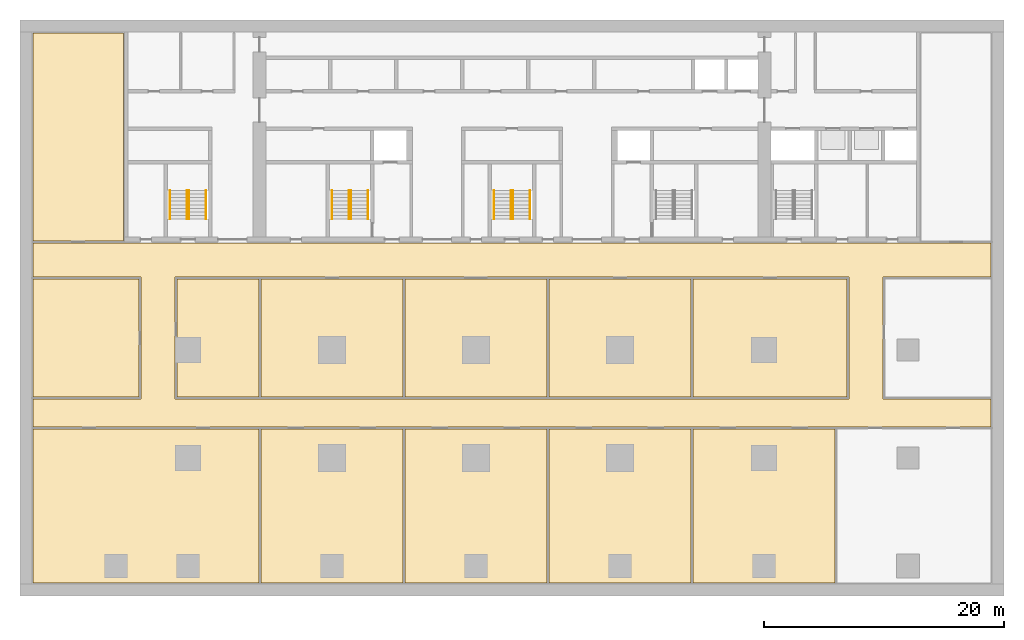
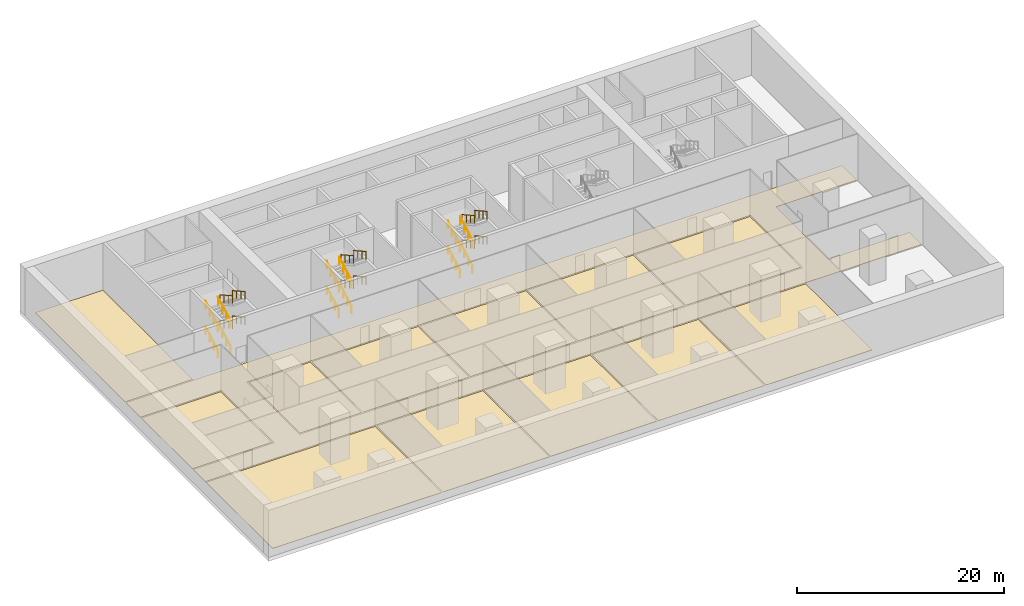
# One storey, part 8 of 10: 24 railings, 13 coverings, 3 elements without a shape of their own.
"""IFC4 building model written with IfcOpenShell, lengths in metres."""

from ifc_helpers import new_model, si_unit, direction, frame, origin, origin_2d, place, context, subcontext, project, spatial, polyline, circle, outline, extrude, material, layer, layer_set, type_object, element, aggregate, save


model = new_model("IFC4")

# Units and contexts
model_context = context("Model", 3, precision=1e-05, world=origin(), true_north=direction((0.0, 1.0)))
body_context = subcontext(model_context, "Body", "Model", "MODEL_VIEW")
ifc_project = project(units=[si_unit("LENGTHUNIT", "METRE"), si_unit("AREAUNIT", "SQUARE_METRE"), si_unit("VOLUMEUNIT", "CUBIC_METRE"), si_unit("PLANEANGLEUNIT", "RADIAN"), si_unit("MASSUNIT", "GRAM", prefix="KILO")], contexts=[model_context])

# Site, building, storey
site_placement = place(None, origin())
site = spatial("IfcSite", under=ifc_project, at=site_placement, CompositionType="ELEMENT")
building_placement = place(site_placement, origin())
building = spatial("IfcBuilding", under=site, at=building_placement, Name="Calvaro Tower", CompositionType="ELEMENT")
storey_placement = place(building_placement, frame((0.0, 0.0, -6.0)))
storey = spatial("IfcBuildingStorey", under=building, at=storey_placement, Name="B1", CompositionType="ELEMENT", Elevation=-6.0)

# Coverings
ifc_material_1 = material(Name="Cement screed with carpet tile finish")
ifc_layer = layer(ifc_material_1, 0.050048828125)
ifc_layer_set = layer_set([ifc_layer], Name="Cement screed with carpet tile finish")
covering_type = type_object("IfcCoveringType", Name="Floor finish 50", PredefinedType="FLOORING", material=ifc_layer_set)
covering_1_placement = place(storey_placement, origin())
element("IfcCovering", 1, at=covering_1_placement, inside=storey, type_object=covering_type, Name="Floor finish 02.01", PredefinedType="FLOORING", context=body_context, shape_type="SweptSolid", body=[
    extrude(outline(polyline([(-0.929931640625, 12.570068359375), (-0.929931640625, 14.929931640625), (8.070068359375, 14.929931640625), (8.070068359375, 25.070068359375), (-0.929931640625, 25.070068359375), (-0.929931640625, 27.929931640625), (78.929931640625, 27.929931640625), (78.929931640625, 25.070068359375), (69.929931640625, 25.070068359375), (69.929931640625, 14.929931640625), (78.929931640625, 14.929931640625), (78.929931640625, 12.570068359375), (-0.929931640625, 12.570068359375)]), holes=[polyline([(67.070068359375, 14.929931640625), (67.070068359375, 25.070068359375), (10.929931640625, 25.070068359375), (10.929931640625, 14.929931640625), (67.070068359375, 14.929931640625)])]), origin(), (0.0, 0.0, 1.0), 0.050048828125),
])
covering_2_placement = place(storey_placement, origin())
element("IfcCovering", 2, at=covering_2_placement, inside=storey, type_object=covering_type, Name="Floor finish 02.02", PredefinedType="FLOORING", context=body_context, shape_type="SweptSolid", body=[
    extrude(outline(polyline([(17.929931640625, 12.429931640625), (17.929931640625, -0.429931640625), (-0.929931640625, -0.429931640625), (-0.929931640625, 12.429931640625), (17.929931640625, 12.429931640625)])), origin(), (0.0, 0.0, 1.0), 0.050048828125),
])
covering_3_placement = place(storey_placement, origin())
element("IfcCovering", 3, at=covering_3_placement, inside=storey, type_object=covering_type, Name="Floor finish 02.03", PredefinedType="FLOORING", context=body_context, shape_type="SweptSolid", body=[
    extrude(outline(polyline([(18.070068359375, 12.429931640625), (29.929931640625, 12.429931640625), (29.929931640625, -0.429931640625), (18.070068359375, -0.429931640625), (18.070068359375, 12.429931640625)])), origin(), (0.0, 0.0, 1.0), 0.050048828125),
])
covering_4_placement = place(storey_placement, origin())
element("IfcCovering", 4, at=covering_4_placement, inside=storey, type_object=covering_type, Name="Floor finish 02.04", PredefinedType="FLOORING", context=body_context, shape_type="SweptSolid", body=[
    extrude(outline(polyline([(30.070068359375, 12.429931640625), (41.929931640625, 12.429931640625), (41.929931640625, -0.429931640625), (30.070068359375, -0.429931640625), (30.070068359375, 12.429931640625)])), origin(), (0.0, 0.0, 1.0), 0.050048828125),
])
covering_5_placement = place(storey_placement, origin())
element("IfcCovering", 5, at=covering_5_placement, inside=storey, type_object=covering_type, Name="Floor finish 02.05", PredefinedType="FLOORING", context=body_context, shape_type="SweptSolid", body=[
    extrude(outline(polyline([(42.070068359375, 12.429931640625), (53.929931640625, 12.429931640625), (53.929931640625, -0.429931640625), (42.070068359375, -0.429931640625), (42.070068359375, 12.429931640625)])), origin(), (0.0, 0.0, 1.0), 0.050048828125),
])
covering_6_placement = place(storey_placement, origin())
element("IfcCovering", 6, at=covering_6_placement, inside=storey, type_object=covering_type, Name="Floor finish 02.06", PredefinedType="FLOORING", context=body_context, shape_type="SweptSolid", body=[
    extrude(outline(polyline([(54.070068359375, 12.429931640625), (65.929931640625, 12.429931640625), (65.929931640625, -0.429931640625), (54.070068359375, -0.429931640625), (54.070068359375, 12.429931640625)])), origin(), (0.0, 0.0, 1.0), 0.050048828125),
])
covering_7_placement = place(storey_placement, origin())
element("IfcCovering", 7, at=covering_7_placement, inside=storey, type_object=covering_type, Name="Floor finish 02.08", PredefinedType="FLOORING", context=body_context, shape_type="SweptSolid", body=[
    extrude(outline(polyline([(7.929931640625, 24.929931640625), (7.929931640625, 15.070068359375), (-0.929931640625, 15.070068359375), (-0.929931640625, 24.929931640625), (7.929931640625, 24.929931640625)])), origin(), (0.0, 0.0, 1.0), 0.050048828125),
])
covering_8_placement = place(storey_placement, origin())
element("IfcCovering", 8, at=covering_8_placement, inside=storey, type_object=covering_type, Name="Floor finish 02.09", PredefinedType="FLOORING", context=body_context, shape_type="SweptSolid", body=[
    extrude(outline(polyline([(11.070068359375, 15.070068359375), (11.070068359375, 24.929931640625), (17.929931640625, 24.929931640625), (17.929931640625, 15.070068359375), (11.070068359375, 15.070068359375)])), origin(), (0.0, 0.0, 1.0), 0.050048828125),
])
covering_9_placement = place(storey_placement, origin())
element("IfcCovering", 9, at=covering_9_placement, inside=storey, type_object=covering_type, Name="Floor finish 02.10", PredefinedType="FLOORING", context=body_context, shape_type="SweptSolid", body=[
    extrude(outline(polyline([(18.070068359375, 15.070068359375), (18.070068359375, 24.929931640625), (29.929931640625, 24.929931640625), (29.929931640625, 15.070068359375), (18.070068359375, 15.070068359375)])), origin(), (0.0, 0.0, 1.0), 0.050048828125),
])
covering_10_placement = place(storey_placement, origin())
element("IfcCovering", 10, at=covering_10_placement, inside=storey, type_object=covering_type, Name="Floor finish 02.11", PredefinedType="FLOORING", context=body_context, shape_type="SweptSolid", body=[
    extrude(outline(polyline([(30.070068359375, 15.070068359375), (30.070068359375, 24.929931640625), (41.929931640625, 24.929931640625), (41.929931640625, 15.070068359375), (30.070068359375, 15.070068359375)])), origin(), (0.0, 0.0, 1.0), 0.050048828125),
])
covering_11_placement = place(storey_placement, origin())
element("IfcCovering", 11, at=covering_11_placement, inside=storey, type_object=covering_type, Name="Floor finish 02.12", PredefinedType="FLOORING", context=body_context, shape_type="SweptSolid", body=[
    extrude(outline(polyline([(42.070068359375, 15.070068359375), (42.070068359375, 24.929931640625), (53.929931640625, 24.929931640625), (53.929931640625, 15.070068359375), (42.070068359375, 15.070068359375)])), origin(), (0.0, 0.0, 1.0), 0.050048828125),
])
covering_12_placement = place(storey_placement, origin())
element("IfcCovering", 12, at=covering_12_placement, inside=storey, type_object=covering_type, Name="Floor finish 02.13", PredefinedType="FLOORING", context=body_context, shape_type="SweptSolid", body=[
    extrude(outline(polyline([(54.070068359375, 15.070068359375), (54.070068359375, 24.929931640625), (66.929931640625, 24.929931640625), (66.929931640625, 15.070068359375), (54.070068359375, 15.070068359375)])), origin(), (0.0, 0.0, 1.0), 0.050048828125),
])
covering_13_placement = place(storey_placement, origin())
element("IfcCovering", 13, at=covering_13_placement, inside=storey, type_object=covering_type, Name="Floor finish 02.15", PredefinedType="FLOORING", context=body_context, shape_type="SweptSolid", body=[
    extrude(outline(polyline([(6.6298828125, 28.070068359375), (-0.929931640625, 28.070068359375), (-0.929931640625, 45.429931640625), (6.6298828125, 45.429931640625), (6.6298828125, 28.070068359375)])), origin(), (0.0, 0.0, 1.0), 0.050048828125),
])

# Stair, railings
ifc_material_2 = material(Name="Concrete C40/50", Category="concrete")
stair_type = type_object("IfcStairType", Name="Exit stair 1400 4 flights", PredefinedType="DOUBLE_RETURN_STAIR", material=ifc_material_2)
stair_1_placement = place(storey_placement, origin())
stair_1 = element("IfcStair", 14, at=stair_1_placement, inside=storey, type_object=stair_type, Name="Exit stair S1", PredefinedType="DOUBLE_RETURN_STAIR")
ifc_material_3 = material(Name="Stainless steel", Category="steel")
railing_type = type_object("IfcRailingType", Name="Stair handrail", PredefinedType="HANDRAIL", material=ifc_material_3)
railing_1_placement = place(storey_placement, frame((11.89990234375, 29.89990234375, 0.166748046875)))
railing_1 = element("IfcRailing", 15, at=railing_1_placement, type_object=railing_type, Name="Exit stair 1 handrail", PredefinedType="HANDRAIL", context=body_context, shape_type="SweptSolid", body=[
    extrude(circle(Radius=0.02392578125, at=origin_2d()), frame((0.0, 0.0, 0.8759765625), z_axis=(0.0, 0.874182441271, 0.485597631145), x_axis=(-1.0, 0.0, 0.0)), (0.0, 0.0, 1.0), 2.74560546875),
    extrude(circle(Radius=0.02099609375, at=origin_2d()), frame((0.0, 0.018310546875, 0.01025390625)), (0.0, 0.0, 1.0), 0.851806640625),
    extrude(circle(Radius=0.02099609375, at=origin_2d()), frame((0.0, 0.800048828125, 0.4443359375)), (0.0, 0.0, 1.0), 0.851806640625),
    extrude(circle(Radius=0.02099609375, at=origin_2d()), frame((0.0, 1.60009765625, 0.888916015625)), (0.0, 0.0, 1.0), 0.851806640625),
    extrude(circle(Radius=0.02099609375, at=origin_2d()), frame((0.0, 2.3818359375, 1.322998046875)), (0.0, 0.0, 1.0), 0.851806640625),
])
railing_2_placement = place(storey_placement, frame((10.5, 29.89990234375, 0.166748046875)))
railing_2 = element("IfcRailing", 16, at=railing_2_placement, type_object=railing_type, Name="Exit stair 1 handrail", PredefinedType="HANDRAIL", context=body_context, shape_type="SweptSolid", body=[
    extrude(circle(Radius=0.02392578125, at=origin_2d()), frame((0.0, 0.0, 0.8759765625), z_axis=(0.0, 0.874182441271, 0.485597631145), x_axis=(-1.0, 0.0, 0.0)), (0.0, 0.0, 1.0), 2.74560546875),
    extrude(circle(Radius=0.02099609375, at=origin_2d()), frame((0.0, 0.018310546875, 0.01025390625)), (0.0, 0.0, 1.0), 0.851806640625),
    extrude(circle(Radius=0.02099609375, at=origin_2d()), frame((0.0, 0.800048828125, 0.4443359375)), (0.0, 0.0, 1.0), 0.851806640625),
    extrude(circle(Radius=0.02099609375, at=origin_2d()), frame((0.0, 1.60009765625, 0.888916015625)), (0.0, 0.0, 1.0), 0.851806640625),
    extrude(circle(Radius=0.02099609375, at=origin_2d()), frame((0.0, 2.3818359375, 1.322998046875)), (0.0, 0.0, 1.0), 0.851806640625),
])
railing_3_placement = place(storey_placement, frame((12.10009765625, 32.300048828125, 1.666748046875)))
railing_3 = element("IfcRailing", 17, at=railing_3_placement, type_object=railing_type, Name="Exit stair 1 handrail", PredefinedType="HANDRAIL", context=body_context, shape_type="SweptSolid", body=[
    extrude(circle(Radius=0.02392578125, at=origin_2d()), frame((0.0, 0.0, 0.8759765625), z_axis=(0.0, -0.874182441271, 0.485597631145), x_axis=(1.0, 0.0, 0.0)), (0.0, 0.0, 1.0), 2.74560546875),
    extrude(circle(Radius=0.02099609375, at=origin_2d()), frame((0.0, -0.018310546875, 0.01025390625)), (0.0, 0.0, 1.0), 0.851806640625),
    extrude(circle(Radius=0.02099609375, at=origin_2d()), frame((0.0, -0.800048828125, 0.4443359375)), (0.0, 0.0, 1.0), 0.851806640625),
    extrude(circle(Radius=0.02099609375, at=origin_2d()), frame((0.0, -1.60009765625, 0.888916015625)), (0.0, 0.0, 1.0), 0.851806640625),
    extrude(circle(Radius=0.02099609375, at=origin_2d()), frame((0.0, -2.3818359375, 1.322998046875)), (0.0, 0.0, 1.0), 0.851806640625),
])
railing_4_placement = place(storey_placement, frame((13.5, 32.300048828125, 1.666748046875)))
railing_4 = element("IfcRailing", 18, at=railing_4_placement, type_object=railing_type, Name="Exit stair 1 handrail", PredefinedType="HANDRAIL", context=body_context, shape_type="SweptSolid", body=[
    extrude(circle(Radius=0.02392578125, at=origin_2d()), frame((0.0, 0.0, 0.8759765625), z_axis=(0.0, -0.874182441271, 0.485597631145), x_axis=(1.0, 0.0, 0.0)), (0.0, 0.0, 1.0), 2.74560546875),
    extrude(circle(Radius=0.02099609375, at=origin_2d()), frame((0.0, -0.018310546875, 0.01025390625)), (0.0, 0.0, 1.0), 0.851806640625),
    extrude(circle(Radius=0.02099609375, at=origin_2d()), frame((0.0, -0.800048828125, 0.4443359375)), (0.0, 0.0, 1.0), 0.851806640625),
    extrude(circle(Radius=0.02099609375, at=origin_2d()), frame((0.0, -1.60009765625, 0.888916015625)), (0.0, 0.0, 1.0), 0.851806640625),
    extrude(circle(Radius=0.02099609375, at=origin_2d()), frame((0.0, -2.3818359375, 1.322998046875)), (0.0, 0.0, 1.0), 0.851806640625),
])
railing_5_placement = place(storey_placement, frame((11.89990234375, 29.89990234375, 3.166748046875)))
railing_5 = element("IfcRailing", 19, at=railing_5_placement, type_object=railing_type, Name="Exit stair 1 handrail", PredefinedType="HANDRAIL", context=body_context, shape_type="SweptSolid", body=[
    extrude(circle(Radius=0.02392578125, at=origin_2d()), frame((0.0, 0.0, 0.8759765625), z_axis=(0.0, 0.874182441271, 0.485597631145), x_axis=(-1.0, 0.0, 0.0)), (0.0, 0.0, 1.0), 2.74560546875),
    extrude(circle(Radius=0.02099609375, at=origin_2d()), frame((0.0, 0.018310546875, 0.01025390625)), (0.0, 0.0, 1.0), 0.851806640625),
    extrude(circle(Radius=0.02099609375, at=origin_2d()), frame((0.0, 0.800048828125, 0.4443359375)), (0.0, 0.0, 1.0), 0.851806640625),
    extrude(circle(Radius=0.02099609375, at=origin_2d()), frame((0.0, 1.60009765625, 0.888916015625)), (0.0, 0.0, 1.0), 0.851806640625),
    extrude(circle(Radius=0.02099609375, at=origin_2d()), frame((0.0, 2.3818359375, 1.322998046875)), (0.0, 0.0, 1.0), 0.851806640625),
])
railing_6_placement = place(storey_placement, frame((10.5, 29.89990234375, 3.166748046875)))
railing_6 = element("IfcRailing", 20, at=railing_6_placement, type_object=railing_type, Name="Exit stair 1 handrail", PredefinedType="HANDRAIL", context=body_context, shape_type="SweptSolid", body=[
    extrude(circle(Radius=0.02392578125, at=origin_2d()), frame((0.0, 0.0, 0.8759765625), z_axis=(0.0, 0.874182441271, 0.485597631145), x_axis=(-1.0, 0.0, 0.0)), (0.0, 0.0, 1.0), 2.74560546875),
    extrude(circle(Radius=0.02099609375, at=origin_2d()), frame((0.0, 0.018310546875, 0.01025390625)), (0.0, 0.0, 1.0), 0.851806640625),
    extrude(circle(Radius=0.02099609375, at=origin_2d()), frame((0.0, 0.800048828125, 0.4443359375)), (0.0, 0.0, 1.0), 0.851806640625),
    extrude(circle(Radius=0.02099609375, at=origin_2d()), frame((0.0, 1.60009765625, 0.888916015625)), (0.0, 0.0, 1.0), 0.851806640625),
    extrude(circle(Radius=0.02099609375, at=origin_2d()), frame((0.0, 2.3818359375, 1.322998046875)), (0.0, 0.0, 1.0), 0.851806640625),
])
railing_7_placement = place(storey_placement, frame((12.10009765625, 32.300048828125, 4.666748046875)))
railing_7 = element("IfcRailing", 21, at=railing_7_placement, type_object=railing_type, Name="Exit stair 1 handrail", PredefinedType="HANDRAIL", context=body_context, shape_type="SweptSolid", body=[
    extrude(circle(Radius=0.02392578125, at=origin_2d()), frame((0.0, 0.0, 0.8759765625), z_axis=(0.0, -0.874182441271, 0.485597631145), x_axis=(1.0, 0.0, 0.0)), (0.0, 0.0, 1.0), 2.74560546875),
    extrude(circle(Radius=0.02099609375, at=origin_2d()), frame((0.0, -0.018310546875, 0.01025390625)), (0.0, 0.0, 1.0), 0.851806640625),
    extrude(circle(Radius=0.02099609375, at=origin_2d()), frame((0.0, -0.800048828125, 0.4443359375)), (0.0, 0.0, 1.0), 0.851806640625),
    extrude(circle(Radius=0.02099609375, at=origin_2d()), frame((0.0, -1.60009765625, 0.888916015625)), (0.0, 0.0, 1.0), 0.851806640625),
    extrude(circle(Radius=0.02099609375, at=origin_2d()), frame((0.0, -2.3818359375, 1.322998046875)), (0.0, 0.0, 1.0), 0.851806640625),
])
railing_8_placement = place(storey_placement, frame((13.5, 32.300048828125, 4.666748046875)))
railing_8 = element("IfcRailing", 22, at=railing_8_placement, type_object=railing_type, Name="Exit stair 1 handrail", PredefinedType="HANDRAIL", context=body_context, shape_type="SweptSolid", body=[
    extrude(circle(Radius=0.02392578125, at=origin_2d()), frame((0.0, 0.0, 0.8759765625), z_axis=(0.0, -0.874182441271, 0.485597631145), x_axis=(1.0, 0.0, 0.0)), (0.0, 0.0, 1.0), 2.74560546875),
    extrude(circle(Radius=0.02099609375, at=origin_2d()), frame((0.0, -0.018310546875, 0.01025390625)), (0.0, 0.0, 1.0), 0.851806640625),
    extrude(circle(Radius=0.02099609375, at=origin_2d()), frame((0.0, -0.800048828125, 0.4443359375)), (0.0, 0.0, 1.0), 0.851806640625),
    extrude(circle(Radius=0.02099609375, at=origin_2d()), frame((0.0, -1.60009765625, 0.888916015625)), (0.0, 0.0, 1.0), 0.851806640625),
    extrude(circle(Radius=0.02099609375, at=origin_2d()), frame((0.0, -2.3818359375, 1.322998046875)), (0.0, 0.0, 1.0), 0.851806640625),
])
aggregate(stair_1, [railing_1, railing_2, railing_3, railing_4, railing_5, railing_6, railing_7, railing_8])

stair_2_placement = place(storey_placement, origin())
stair_2 = element("IfcStair", 23, at=stair_2_placement, inside=storey, type_object=stair_type, Name="Exit stair S2", PredefinedType="DOUBLE_RETURN_STAIR")
railing_9_placement = place(storey_placement, frame((25.39990234375, 29.89990234375, 0.166748046875)))
railing_9 = element("IfcRailing", 24, at=railing_9_placement, type_object=railing_type, Name="Exit stair 2 handrail", PredefinedType="HANDRAIL", context=body_context, shape_type="SweptSolid", body=[
    extrude(circle(Radius=0.02392578125, at=origin_2d()), frame((0.0, 0.0, 0.8759765625), z_axis=(0.0, 0.874182441271, 0.485597631145), x_axis=(-1.0, 0.0, 0.0)), (0.0, 0.0, 1.0), 2.74560546875),
    extrude(circle(Radius=0.02099609375, at=origin_2d()), frame((0.0, 0.018310546875, 0.01025390625)), (0.0, 0.0, 1.0), 0.851806640625),
    extrude(circle(Radius=0.02099609375, at=origin_2d()), frame((0.0, 0.800048828125, 0.4443359375)), (0.0, 0.0, 1.0), 0.851806640625),
    extrude(circle(Radius=0.02099609375, at=origin_2d()), frame((0.0, 1.60009765625, 0.888916015625)), (0.0, 0.0, 1.0), 0.851806640625),
    extrude(circle(Radius=0.02099609375, at=origin_2d()), frame((0.0, 2.3818359375, 1.322998046875)), (0.0, 0.0, 1.0), 0.851806640625),
])
railing_10_placement = place(storey_placement, frame((24.0, 29.89990234375, 0.166748046875)))
railing_10 = element("IfcRailing", 25, at=railing_10_placement, type_object=railing_type, Name="Exit stair 2 handrail", PredefinedType="HANDRAIL", context=body_context, shape_type="SweptSolid", body=[
    extrude(circle(Radius=0.02392578125, at=origin_2d()), frame((0.0, 0.0, 0.8759765625), z_axis=(0.0, 0.874182441271, 0.485597631145), x_axis=(-1.0, 0.0, 0.0)), (0.0, 0.0, 1.0), 2.74560546875),
    extrude(circle(Radius=0.02099609375, at=origin_2d()), frame((0.0, 0.018310546875, 0.01025390625)), (0.0, 0.0, 1.0), 0.851806640625),
    extrude(circle(Radius=0.02099609375, at=origin_2d()), frame((0.0, 0.800048828125, 0.4443359375)), (0.0, 0.0, 1.0), 0.851806640625),
    extrude(circle(Radius=0.02099609375, at=origin_2d()), frame((0.0, 1.60009765625, 0.888916015625)), (0.0, 0.0, 1.0), 0.851806640625),
    extrude(circle(Radius=0.02099609375, at=origin_2d()), frame((0.0, 2.3818359375, 1.322998046875)), (0.0, 0.0, 1.0), 0.851806640625),
])
railing_11_placement = place(storey_placement, frame((25.60009765625, 32.300048828125, 1.666748046875)))
railing_11 = element("IfcRailing", 26, at=railing_11_placement, type_object=railing_type, Name="Exit stair 2 handrail", PredefinedType="HANDRAIL", context=body_context, shape_type="SweptSolid", body=[
    extrude(circle(Radius=0.02392578125, at=origin_2d()), frame((0.0, 0.0, 0.8759765625), z_axis=(0.0, -0.874182441271, 0.485597631145), x_axis=(1.0, 0.0, 0.0)), (0.0, 0.0, 1.0), 2.74560546875),
    extrude(circle(Radius=0.02099609375, at=origin_2d()), frame((0.0, -0.018310546875, 0.01025390625)), (0.0, 0.0, 1.0), 0.851806640625),
    extrude(circle(Radius=0.02099609375, at=origin_2d()), frame((0.0, -0.800048828125, 0.4443359375)), (0.0, 0.0, 1.0), 0.851806640625),
    extrude(circle(Radius=0.02099609375, at=origin_2d()), frame((0.0, -1.60009765625, 0.888916015625)), (0.0, 0.0, 1.0), 0.851806640625),
    extrude(circle(Radius=0.02099609375, at=origin_2d()), frame((0.0, -2.3818359375, 1.322998046875)), (0.0, 0.0, 1.0), 0.851806640625),
])
railing_12_placement = place(storey_placement, frame((27.0, 32.300048828125, 1.666748046875)))
railing_12 = element("IfcRailing", 27, at=railing_12_placement, type_object=railing_type, Name="Exit stair 2 handrail", PredefinedType="HANDRAIL", context=body_context, shape_type="SweptSolid", body=[
    extrude(circle(Radius=0.02392578125, at=origin_2d()), frame((0.0, 0.0, 0.8759765625), z_axis=(0.0, -0.874182441271, 0.485597631145), x_axis=(1.0, 0.0, 0.0)), (0.0, 0.0, 1.0), 2.74560546875),
    extrude(circle(Radius=0.02099609375, at=origin_2d()), frame((0.0, -0.018310546875, 0.01025390625)), (0.0, 0.0, 1.0), 0.851806640625),
    extrude(circle(Radius=0.02099609375, at=origin_2d()), frame((0.0, -0.800048828125, 0.4443359375)), (0.0, 0.0, 1.0), 0.851806640625),
    extrude(circle(Radius=0.02099609375, at=origin_2d()), frame((0.0, -1.60009765625, 0.888916015625)), (0.0, 0.0, 1.0), 0.851806640625),
    extrude(circle(Radius=0.02099609375, at=origin_2d()), frame((0.0, -2.3818359375, 1.322998046875)), (0.0, 0.0, 1.0), 0.851806640625),
])
railing_13_placement = place(storey_placement, frame((25.39990234375, 29.89990234375, 3.166748046875)))
railing_13 = element("IfcRailing", 28, at=railing_13_placement, type_object=railing_type, Name="Exit stair 2 handrail", PredefinedType="HANDRAIL", context=body_context, shape_type="SweptSolid", body=[
    extrude(circle(Radius=0.02392578125, at=origin_2d()), frame((0.0, 0.0, 0.8759765625), z_axis=(0.0, 0.874182441271, 0.485597631145), x_axis=(-1.0, 0.0, 0.0)), (0.0, 0.0, 1.0), 2.74560546875),
    extrude(circle(Radius=0.02099609375, at=origin_2d()), frame((0.0, 0.018310546875, 0.01025390625)), (0.0, 0.0, 1.0), 0.851806640625),
    extrude(circle(Radius=0.02099609375, at=origin_2d()), frame((0.0, 0.800048828125, 0.4443359375)), (0.0, 0.0, 1.0), 0.851806640625),
    extrude(circle(Radius=0.02099609375, at=origin_2d()), frame((0.0, 1.60009765625, 0.888916015625)), (0.0, 0.0, 1.0), 0.851806640625),
    extrude(circle(Radius=0.02099609375, at=origin_2d()), frame((0.0, 2.3818359375, 1.322998046875)), (0.0, 0.0, 1.0), 0.851806640625),
])
railing_14_placement = place(storey_placement, frame((24.0, 29.89990234375, 3.166748046875)))
railing_14 = element("IfcRailing", 29, at=railing_14_placement, type_object=railing_type, Name="Exit stair 2 handrail", PredefinedType="HANDRAIL", context=body_context, shape_type="SweptSolid", body=[
    extrude(circle(Radius=0.02392578125, at=origin_2d()), frame((0.0, 0.0, 0.8759765625), z_axis=(0.0, 0.874182441271, 0.485597631145), x_axis=(-1.0, 0.0, 0.0)), (0.0, 0.0, 1.0), 2.74560546875),
    extrude(circle(Radius=0.02099609375, at=origin_2d()), frame((0.0, 0.018310546875, 0.01025390625)), (0.0, 0.0, 1.0), 0.851806640625),
    extrude(circle(Radius=0.02099609375, at=origin_2d()), frame((0.0, 0.800048828125, 0.4443359375)), (0.0, 0.0, 1.0), 0.851806640625),
    extrude(circle(Radius=0.02099609375, at=origin_2d()), frame((0.0, 1.60009765625, 0.888916015625)), (0.0, 0.0, 1.0), 0.851806640625),
    extrude(circle(Radius=0.02099609375, at=origin_2d()), frame((0.0, 2.3818359375, 1.322998046875)), (0.0, 0.0, 1.0), 0.851806640625),
])
railing_15_placement = place(storey_placement, frame((25.60009765625, 32.300048828125, 4.666748046875)))
railing_15 = element("IfcRailing", 30, at=railing_15_placement, type_object=railing_type, Name="Exit stair 2 handrail", PredefinedType="HANDRAIL", context=body_context, shape_type="SweptSolid", body=[
    extrude(circle(Radius=0.02392578125, at=origin_2d()), frame((0.0, 0.0, 0.8759765625), z_axis=(0.0, -0.874182441271, 0.485597631145), x_axis=(1.0, 0.0, 0.0)), (0.0, 0.0, 1.0), 2.74560546875),
    extrude(circle(Radius=0.02099609375, at=origin_2d()), frame((0.0, -0.018310546875, 0.01025390625)), (0.0, 0.0, 1.0), 0.851806640625),
    extrude(circle(Radius=0.02099609375, at=origin_2d()), frame((0.0, -0.800048828125, 0.4443359375)), (0.0, 0.0, 1.0), 0.851806640625),
    extrude(circle(Radius=0.02099609375, at=origin_2d()), frame((0.0, -1.60009765625, 0.888916015625)), (0.0, 0.0, 1.0), 0.851806640625),
    extrude(circle(Radius=0.02099609375, at=origin_2d()), frame((0.0, -2.3818359375, 1.322998046875)), (0.0, 0.0, 1.0), 0.851806640625),
])
railing_16_placement = place(storey_placement, frame((27.0, 32.300048828125, 4.666748046875)))
railing_16 = element("IfcRailing", 31, at=railing_16_placement, type_object=railing_type, Name="Exit stair 2 handrail", PredefinedType="HANDRAIL", context=body_context, shape_type="SweptSolid", body=[
    extrude(circle(Radius=0.02392578125, at=origin_2d()), frame((0.0, 0.0, 0.8759765625), z_axis=(0.0, -0.874182441271, 0.485597631145), x_axis=(1.0, 0.0, 0.0)), (0.0, 0.0, 1.0), 2.74560546875),
    extrude(circle(Radius=0.02099609375, at=origin_2d()), frame((0.0, -0.018310546875, 0.01025390625)), (0.0, 0.0, 1.0), 0.851806640625),
    extrude(circle(Radius=0.02099609375, at=origin_2d()), frame((0.0, -0.800048828125, 0.4443359375)), (0.0, 0.0, 1.0), 0.851806640625),
    extrude(circle(Radius=0.02099609375, at=origin_2d()), frame((0.0, -1.60009765625, 0.888916015625)), (0.0, 0.0, 1.0), 0.851806640625),
    extrude(circle(Radius=0.02099609375, at=origin_2d()), frame((0.0, -2.3818359375, 1.322998046875)), (0.0, 0.0, 1.0), 0.851806640625),
])
aggregate(stair_2, [railing_9, railing_10, railing_11, railing_12, railing_13, railing_14, railing_15, railing_16])

stair_3_placement = place(storey_placement, origin())
stair_3 = element("IfcStair", 32, at=stair_3_placement, inside=storey, type_object=stair_type, Name="Exit stair S3", PredefinedType="DOUBLE_RETURN_STAIR")
railing_17_placement = place(storey_placement, frame((38.89990234375, 29.89990234375, 0.166748046875)))
railing_17 = element("IfcRailing", 33, at=railing_17_placement, type_object=railing_type, Name="Exit stair 3 handrail", PredefinedType="HANDRAIL", context=body_context, shape_type="SweptSolid", body=[
    extrude(circle(Radius=0.02392578125, at=origin_2d()), frame((0.0, 0.0, 0.8759765625), z_axis=(0.0, 0.874182441271, 0.485597631145), x_axis=(-1.0, 0.0, 0.0)), (0.0, 0.0, 1.0), 2.74560546875),
    extrude(circle(Radius=0.02099609375, at=origin_2d()), frame((0.0, 0.018310546875, 0.01025390625)), (0.0, 0.0, 1.0), 0.851806640625),
    extrude(circle(Radius=0.02099609375, at=origin_2d()), frame((0.0, 0.800048828125, 0.4443359375)), (0.0, 0.0, 1.0), 0.851806640625),
    extrude(circle(Radius=0.02099609375, at=origin_2d()), frame((0.0, 1.60009765625, 0.888916015625)), (0.0, 0.0, 1.0), 0.851806640625),
    extrude(circle(Radius=0.02099609375, at=origin_2d()), frame((0.0, 2.3818359375, 1.322998046875)), (0.0, 0.0, 1.0), 0.851806640625),
])
railing_18_placement = place(storey_placement, frame((37.5, 29.89990234375, 0.166748046875)))
railing_18 = element("IfcRailing", 34, at=railing_18_placement, type_object=railing_type, Name="Exit stair 3 handrail", PredefinedType="HANDRAIL", context=body_context, shape_type="SweptSolid", body=[
    extrude(circle(Radius=0.02392578125, at=origin_2d()), frame((0.0, 0.0, 0.8759765625), z_axis=(0.0, 0.874182441271, 0.485597631145), x_axis=(-1.0, 0.0, 0.0)), (0.0, 0.0, 1.0), 2.74560546875),
    extrude(circle(Radius=0.02099609375, at=origin_2d()), frame((0.0, 0.018310546875, 0.01025390625)), (0.0, 0.0, 1.0), 0.851806640625),
    extrude(circle(Radius=0.02099609375, at=origin_2d()), frame((0.0, 0.800048828125, 0.4443359375)), (0.0, 0.0, 1.0), 0.851806640625),
    extrude(circle(Radius=0.02099609375, at=origin_2d()), frame((0.0, 1.60009765625, 0.888916015625)), (0.0, 0.0, 1.0), 0.851806640625),
    extrude(circle(Radius=0.02099609375, at=origin_2d()), frame((0.0, 2.3818359375, 1.322998046875)), (0.0, 0.0, 1.0), 0.851806640625),
])
railing_19_placement = place(storey_placement, frame((39.10009765625, 32.300048828125, 1.666748046875)))
railing_19 = element("IfcRailing", 35, at=railing_19_placement, type_object=railing_type, Name="Exit stair 3 handrail", PredefinedType="HANDRAIL", context=body_context, shape_type="SweptSolid", body=[
    extrude(circle(Radius=0.02392578125, at=origin_2d()), frame((0.0, 0.0, 0.8759765625), z_axis=(0.0, -0.874182441271, 0.485597631145), x_axis=(1.0, 0.0, 0.0)), (0.0, 0.0, 1.0), 2.74560546875),
    extrude(circle(Radius=0.02099609375, at=origin_2d()), frame((0.0, -0.018310546875, 0.01025390625)), (0.0, 0.0, 1.0), 0.851806640625),
    extrude(circle(Radius=0.02099609375, at=origin_2d()), frame((0.0, -0.800048828125, 0.4443359375)), (0.0, 0.0, 1.0), 0.851806640625),
    extrude(circle(Radius=0.02099609375, at=origin_2d()), frame((0.0, -1.60009765625, 0.888916015625)), (0.0, 0.0, 1.0), 0.851806640625),
    extrude(circle(Radius=0.02099609375, at=origin_2d()), frame((0.0, -2.3818359375, 1.322998046875)), (0.0, 0.0, 1.0), 0.851806640625),
])
railing_20_placement = place(storey_placement, frame((40.5, 32.300048828125, 1.666748046875)))
railing_20 = element("IfcRailing", 36, at=railing_20_placement, type_object=railing_type, Name="Exit stair 3 handrail", PredefinedType="HANDRAIL", context=body_context, shape_type="SweptSolid", body=[
    extrude(circle(Radius=0.02392578125, at=origin_2d()), frame((0.0, 0.0, 0.8759765625), z_axis=(0.0, -0.874182441271, 0.485597631145), x_axis=(1.0, 0.0, 0.0)), (0.0, 0.0, 1.0), 2.74560546875),
    extrude(circle(Radius=0.02099609375, at=origin_2d()), frame((0.0, -0.018310546875, 0.01025390625)), (0.0, 0.0, 1.0), 0.851806640625),
    extrude(circle(Radius=0.02099609375, at=origin_2d()), frame((0.0, -0.800048828125, 0.4443359375)), (0.0, 0.0, 1.0), 0.851806640625),
    extrude(circle(Radius=0.02099609375, at=origin_2d()), frame((0.0, -1.60009765625, 0.888916015625)), (0.0, 0.0, 1.0), 0.851806640625),
    extrude(circle(Radius=0.02099609375, at=origin_2d()), frame((0.0, -2.3818359375, 1.322998046875)), (0.0, 0.0, 1.0), 0.851806640625),
])
railing_21_placement = place(storey_placement, frame((38.89990234375, 29.89990234375, 3.166748046875)))
railing_21 = element("IfcRailing", 37, at=railing_21_placement, type_object=railing_type, Name="Exit stair 3 handrail", PredefinedType="HANDRAIL", context=body_context, shape_type="SweptSolid", body=[
    extrude(circle(Radius=0.02392578125, at=origin_2d()), frame((0.0, 0.0, 0.8759765625), z_axis=(0.0, 0.874182441271, 0.485597631145), x_axis=(-1.0, 0.0, 0.0)), (0.0, 0.0, 1.0), 2.74560546875),
    extrude(circle(Radius=0.02099609375, at=origin_2d()), frame((0.0, 0.018310546875, 0.01025390625)), (0.0, 0.0, 1.0), 0.851806640625),
    extrude(circle(Radius=0.02099609375, at=origin_2d()), frame((0.0, 0.800048828125, 0.4443359375)), (0.0, 0.0, 1.0), 0.851806640625),
    extrude(circle(Radius=0.02099609375, at=origin_2d()), frame((0.0, 1.60009765625, 0.888916015625)), (0.0, 0.0, 1.0), 0.851806640625),
    extrude(circle(Radius=0.02099609375, at=origin_2d()), frame((0.0, 2.3818359375, 1.322998046875)), (0.0, 0.0, 1.0), 0.851806640625),
])
railing_22_placement = place(storey_placement, frame((37.5, 29.89990234375, 3.166748046875)))
railing_22 = element("IfcRailing", 38, at=railing_22_placement, type_object=railing_type, Name="Exit stair 3 handrail", PredefinedType="HANDRAIL", context=body_context, shape_type="SweptSolid", body=[
    extrude(circle(Radius=0.02392578125, at=origin_2d()), frame((0.0, 0.0, 0.8759765625), z_axis=(0.0, 0.874182441271, 0.485597631145), x_axis=(-1.0, 0.0, 0.0)), (0.0, 0.0, 1.0), 2.74560546875),
    extrude(circle(Radius=0.02099609375, at=origin_2d()), frame((0.0, 0.018310546875, 0.01025390625)), (0.0, 0.0, 1.0), 0.851806640625),
    extrude(circle(Radius=0.02099609375, at=origin_2d()), frame((0.0, 0.800048828125, 0.4443359375)), (0.0, 0.0, 1.0), 0.851806640625),
    extrude(circle(Radius=0.02099609375, at=origin_2d()), frame((0.0, 1.60009765625, 0.888916015625)), (0.0, 0.0, 1.0), 0.851806640625),
    extrude(circle(Radius=0.02099609375, at=origin_2d()), frame((0.0, 2.3818359375, 1.322998046875)), (0.0, 0.0, 1.0), 0.851806640625),
])
railing_23_placement = place(storey_placement, frame((39.10009765625, 32.300048828125, 4.666748046875)))
railing_23 = element("IfcRailing", 39, at=railing_23_placement, type_object=railing_type, Name="Exit stair 3 handrail", PredefinedType="HANDRAIL", context=body_context, shape_type="SweptSolid", body=[
    extrude(circle(Radius=0.02392578125, at=origin_2d()), frame((0.0, 0.0, 0.8759765625), z_axis=(0.0, -0.874182441271, 0.485597631145), x_axis=(1.0, 0.0, 0.0)), (0.0, 0.0, 1.0), 2.74560546875),
    extrude(circle(Radius=0.02099609375, at=origin_2d()), frame((0.0, -0.018310546875, 0.01025390625)), (0.0, 0.0, 1.0), 0.851806640625),
    extrude(circle(Radius=0.02099609375, at=origin_2d()), frame((0.0, -0.800048828125, 0.4443359375)), (0.0, 0.0, 1.0), 0.851806640625),
    extrude(circle(Radius=0.02099609375, at=origin_2d()), frame((0.0, -1.60009765625, 0.888916015625)), (0.0, 0.0, 1.0), 0.851806640625),
    extrude(circle(Radius=0.02099609375, at=origin_2d()), frame((0.0, -2.3818359375, 1.322998046875)), (0.0, 0.0, 1.0), 0.851806640625),
])
railing_24_placement = place(storey_placement, frame((40.5, 32.300048828125, 4.666748046875)))
railing_24 = element("IfcRailing", 40, at=railing_24_placement, type_object=railing_type, Name="Exit stair 3 handrail", PredefinedType="HANDRAIL", context=body_context, shape_type="SweptSolid", body=[
    extrude(circle(Radius=0.02392578125, at=origin_2d()), frame((0.0, 0.0, 0.8759765625), z_axis=(0.0, -0.874182441271, 0.485597631145), x_axis=(1.0, 0.0, 0.0)), (0.0, 0.0, 1.0), 2.74560546875),
    extrude(circle(Radius=0.02099609375, at=origin_2d()), frame((0.0, -0.018310546875, 0.01025390625)), (0.0, 0.0, 1.0), 0.851806640625),
    extrude(circle(Radius=0.02099609375, at=origin_2d()), frame((0.0, -0.800048828125, 0.4443359375)), (0.0, 0.0, 1.0), 0.851806640625),
    extrude(circle(Radius=0.02099609375, at=origin_2d()), frame((0.0, -1.60009765625, 0.888916015625)), (0.0, 0.0, 1.0), 0.851806640625),
    extrude(circle(Radius=0.02099609375, at=origin_2d()), frame((0.0, -2.3818359375, 1.322998046875)), (0.0, 0.0, 1.0), 0.851806640625),
])
aggregate(stair_3, [railing_17, railing_18, railing_19, railing_20, railing_21, railing_22, railing_23, railing_24])

save(model, "model.ifc")
